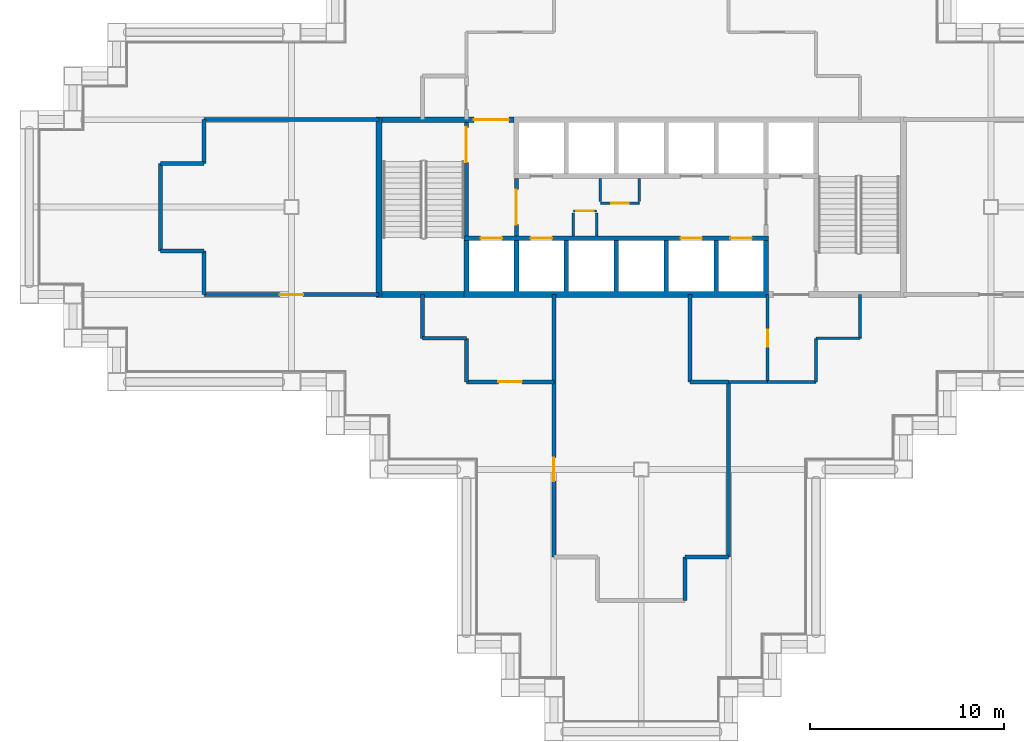
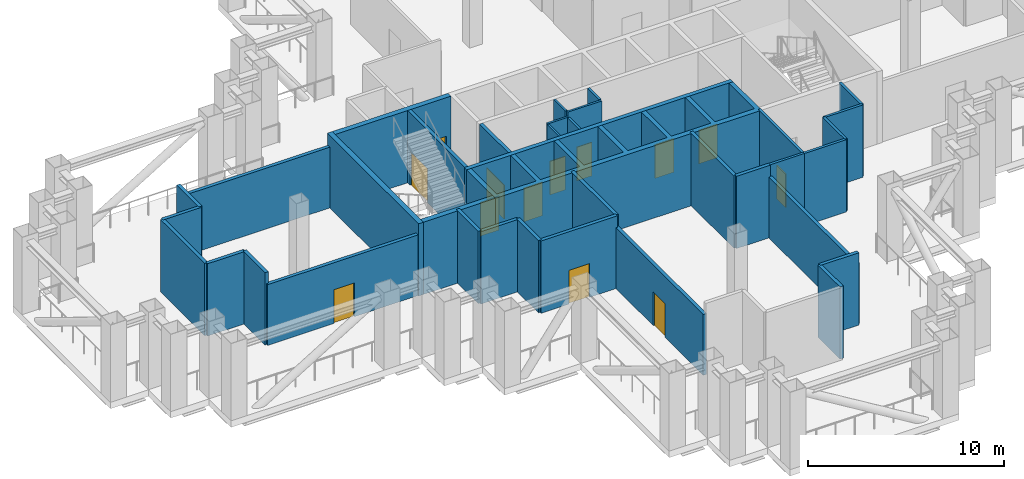
# One storey, part 3 of 10: 37 walls, 13 doors, 13 openings.
"""IFC4 building model written with IfcOpenShell, lengths in metres."""

import ifcopenshell
import ifcopenshell.guid

model = None  # the IFC model being written
_history = None  # IfcOwnerHistory: only IFC2X3 demands one
_inside = {}  # id of a spatial element -> (the spatial element, [elements in it])
_under = {}  # id of a project, library or spatial element -> (it, [spatial elements below it])
_declared = {}  # id of a project -> (the project, [libraries it declares])
_typed = {}  # id of a type object -> (the type object, [elements of that type])
_made_of = {}  # id of a material, layer set ... -> (it, [elements and type objects made of it])


def new_model(schema):
    """Start an empty IFC model of exactly this schema.

    Asked for "IFC4X3", IfcOpenShell would pick the latest addendum, in which some entities
    have other attributes; the version numbers below select the first issue.
    IFC2X3 requires an IfcOwnerHistory on every rooted entity: one is made here for all.
    """
    global model, _history
    if schema == "IFC4X3":
        model = ifcopenshell.file(schema_version=(4, 3, 0, 0))
    else:
        model = ifcopenshell.file(schema=schema)
    _inside.clear()
    _under.clear()
    _declared.clear()
    _typed.clear()
    _made_of.clear()
    _history = None
    if model.schema == "IFC2X3":
        org = make("IfcOrganization", Name="unknown")
        user = make(
            "IfcPersonAndOrganization",
            ThePerson=make("IfcPerson", FamilyName="unknown"),
            TheOrganization=org,
        )
        app = make(
            "IfcApplication",
            ApplicationDeveloper=org,
            Version="unknown",
            ApplicationFullName="unknown",
            ApplicationIdentifier="unknown",
        )
        _history = make(
            "IfcOwnerHistory",
            OwningUser=user,
            OwningApplication=app,
            ChangeAction="ADDED",
            CreationDate=0,
        )
    return model


def make(cls, **values):
    """One entity of the class cls with the attributes given. An attribute that is None is left unset."""
    return model.create_entity(
        cls, **{name: value for name, value in values.items() if value is not None}
    )


def rooted(cls, **values):
    """An entity with a GlobalId (a new one), such as an element, a storey or a relation."""
    return make(cls, GlobalId=ifcopenshell.guid.new(), OwnerHistory=_history, **values)


def si_unit(unit_type, name, prefix=None):
    """IfcSIUnit, for example si_unit("LENGTHUNIT", "METRE", prefix="MILLI")."""
    return make("IfcSIUnit", UnitType=unit_type, Prefix=prefix, Name=name)


def assignment(units):
    """IfcUnitAssignment: the units of a project."""
    return None if units is None else make("IfcUnitAssignment", Units=units)


def point(xyz):
    """IfcCartesianPoint."""
    return None if xyz is None else make("IfcCartesianPoint", Coordinates=xyz)


def direction(xyz):
    """IfcDirection."""
    return None if xyz is None else make("IfcDirection", DirectionRatios=xyz)


def frame(location, z_axis=None, x_axis=None):
    """IfcAxis2Placement3D, a coordinate frame: its origin and axes. An axis left out is left unset."""
    return make(
        "IfcAxis2Placement3D",
        Location=point(location),
        Axis=direction(z_axis),
        RefDirection=direction(x_axis),
    )


def frame_2d(location, x_axis=None):
    """IfcAxis2Placement2D, a coordinate frame in the plane: its origin and x axis."""
    return make(
        "IfcAxis2Placement2D", Location=point(location), RefDirection=direction(x_axis)
    )


def origin():
    """The frame at (0, 0, 0) with its axes left unset."""
    return frame((0.0, 0.0, 0.0))


def place(relative_to, where):
    """IfcLocalPlacement: puts the frame where relative to a parent placement (None: the world)."""
    return make(
        "IfcLocalPlacement", PlacementRelTo=relative_to, RelativePlacement=where
    )


def context(
    kind, dimensions, precision=None, world=None, true_north=None, identifier=None
):
    """IfcGeometricRepresentationContext, for example the 3D "Model" context."""
    return make(
        "IfcGeometricRepresentationContext",
        ContextIdentifier=identifier,
        ContextType=kind,
        CoordinateSpaceDimension=dimensions,
        Precision=precision,
        WorldCoordinateSystem=world,
        TrueNorth=true_north,
    )


def subcontext(parent, identifier, kind, view, scale=None):
    """IfcGeometricRepresentationSubContext, for example "Body" below "Model"."""
    return make(
        "IfcGeometricRepresentationSubContext",
        ContextIdentifier=identifier,
        ContextType=kind,
        ParentContext=parent,
        TargetScale=scale,
        TargetView=view,
    )


def project(units=None, contexts=None):
    """IfcProject with its units and contexts."""
    return rooted(
        "IfcProject",
        Name="project",
        RepresentationContexts=contexts,
        UnitsInContext=assignment(units),
    )


def spatial(cls, under=None, at=None, **own):
    """A site, building, storey or space (cls), placed at a placement, below another one or the project."""
    s = rooted(cls, ObjectPlacement=at, **own)
    if under is not None:
        _under.setdefault(under.id(), (under, []))[1].append(s)
    return s


def polyline(points):
    """IfcPolyline through the points."""
    return make("IfcPolyline", Points=[point(p) for p in points])


def profile(cls, at=None, kind="AREA", **sizes):
    """A parametric profile (cls). Its sizes go by their IFC names, for example OverallWidth=200.0."""
    return make(cls, ProfileType=kind, Position=at, **sizes)


def rectangle(**sizes):
    """IfcRectangleProfileDef."""
    return profile("IfcRectangleProfileDef", **sizes)


def outline(outer, holes=None, kind="AREA"):
    """IfcArbitraryClosedProfileDef: a profile drawn as a closed curve; with holes, ...WithVoids."""
    if holes is None:
        return make("IfcArbitraryClosedProfileDef", ProfileType=kind, OuterCurve=outer)
    return make(
        "IfcArbitraryProfileDefWithVoids",
        ProfileType=kind,
        OuterCurve=outer,
        InnerCurves=holes,
    )


def extrude(swept, where, along, depth):
    """IfcExtrudedAreaSolid: the profile swept, set in the frame where, extruded along a direction by depth."""
    return make(
        "IfcExtrudedAreaSolid",
        SweptArea=swept,
        Position=where,
        ExtrudedDirection=direction(along),
        Depth=depth,
    )


def shape(context_of_items, identifier, shape_type, items):
    """IfcShapeRepresentation: the items that make up one representation, for example the "Body"."""
    return make(
        "IfcShapeRepresentation",
        ContextOfItems=context_of_items,
        RepresentationIdentifier=identifier,
        RepresentationType=shape_type,
        Items=items,
    )


def material(Name=None, Category=None):
    """IfcMaterial."""
    return make("IfcMaterial", Name=Name, Category=Category)


def layer(
    of_material, thickness, ventilated=None, Name=None, Category=None, Priority=None
):
    """IfcMaterialLayer: one layer of a wall or slab, of a material (None: an air gap)."""
    return make(
        "IfcMaterialLayer",
        Material=of_material,
        LayerThickness=thickness,
        IsVentilated=ventilated,
        Name=Name,
        Category=Category,
        Priority=Priority,
    )


def layer_set(layers, Name=None):
    """IfcMaterialLayerSet."""
    return make("IfcMaterialLayerSet", MaterialLayers=layers, LayerSetName=Name)


def made_of(thing, what):
    """Note that an element or type object is made of a material, layer set ...; save() writes the relation."""
    if what is not None:
        _made_of.setdefault(what.id(), (what, []))[1].append(thing)
    return thing


def type_object(cls, material=None, **own):
    """A type object (cls), such as IfcWallType, which elements share."""
    return made_of(rooted(cls, **own), material)


def element(
    cls,
    number,
    at=None,
    inside=None,
    cuts=None,
    type_object=None,
    material=None,
    context=None,
    identifier="Body",
    shape_type=None,
    held_by="IfcProductDefinitionShape",
    body=None,
    shapes=None,
    **own,
):
    """One element of the class cls, such as IfcWall. Its Tag is "e" and its number.

    at: its placement. inside: the storey or other place that contains it. cuts: it is an
    opening in that element (IfcRelVoidsElement). A single representation is given by context,
    identifier, shape_type and body (its items); several are given by shapes. held_by: the class
    of the entity that holds the representations. save() writes the other relations.
    """
    e = rooted(cls, Tag="e%d" % number, ObjectPlacement=at, **own)
    if body is not None:
        shapes = [shape(context, identifier, shape_type, body)]
    if shapes is not None:
        e.Representation = make(held_by, Representations=shapes)
    if inside is not None:
        _inside.setdefault(inside.id(), (inside, []))[1].append(e)
    if cuts is not None:
        rooted(
            "IfcRelVoidsElement", RelatingBuildingElement=cuts, RelatedOpeningElement=e
        )
    if type_object is not None:
        _typed.setdefault(type_object.id(), (type_object, []))[1].append(e)
    return made_of(e, material)


def fill(opening, filler):
    """IfcRelFillsElement: the door or window that sits in an opening."""
    return rooted(
        "IfcRelFillsElement",
        RelatingOpeningElement=opening,
        RelatedBuildingElement=filler,
    )


def aggregate(whole, parts):
    """IfcRelAggregates: a whole, such as a stair, and the parts it consists of."""
    return rooted("IfcRelAggregates", RelatingObject=whole, RelatedObjects=parts)


def save(model, path):
    """Write the relations noted so far, then the file.

    IfcRelAggregates (storeys below a building ...), IfcRelContainedInSpatialStructure (elements
    in a storey), IfcRelDefinesByType, IfcRelAssociatesMaterial and IfcRelDeclares: one each for
    every whole, place, type object, material and project.
    """
    for whole, parts in _under.values():
        aggregate(whole, parts)
    for where, things in _inside.values():
        rooted(
            "IfcRelContainedInSpatialStructure",
            RelatedElements=things,
            RelatingStructure=where,
        )
    for kind, things in _typed.values():
        rooted("IfcRelDefinesByType", RelatedObjects=things, RelatingType=kind)
    for what, things in _made_of.values():
        rooted("IfcRelAssociatesMaterial", RelatedObjects=things, RelatingMaterial=what)
    for by, libraries in _declared.values():
        rooted("IfcRelDeclares", RelatingContext=by, RelatedDefinitions=libraries)
    model.write(path)


model = new_model("IFC4")

# Units and contexts
model_context = context("Model", 3, precision=1e-05, world=origin(), true_north=direction((0.0, 1.0)))
body_context = subcontext(model_context, "Body", "Model", "MODEL_VIEW")
ifc_project = project(units=[si_unit("LENGTHUNIT", "METRE"), si_unit("AREAUNIT", "SQUARE_METRE"), si_unit("VOLUMEUNIT", "CUBIC_METRE"), si_unit("PLANEANGLEUNIT", "RADIAN"), si_unit("MASSUNIT", "GRAM", prefix="KILO")], contexts=[model_context])

# Site, building, storey
site_placement = place(None, origin())
site = spatial("IfcSite", under=ifc_project, at=site_placement, CompositionType="ELEMENT")
building_placement = place(site_placement, origin())
building = spatial("IfcBuilding", under=site, at=building_placement, Name="Caravel Reach Hotel and Residences", CompositionType="ELEMENT")
storey_placement = place(building_placement, frame((0.0, 0.0, 96.0)))
storey = spatial("IfcBuildingStorey", under=building, at=storey_placement, Name="L23", CompositionType="ELEMENT", Elevation=96.0)

# Wall, opening, door
ifc_material_1 = material(Name="Autoclaved aerated block wall")
ifc_layer_1 = layer(ifc_material_1, 0.199951171875)
ifc_layer_set_1 = layer_set([ifc_layer_1], Name="Compartment wall 200 mm EI 120")
wall_type_1 = type_object("IfcWallType", Name="Compartment wall 200 mm EI 120", PredefinedType="PARTITIONING", material=ifc_layer_set_1)
wall_1_placement = place(storey_placement, frame((22.5, 18.0, 0.0), z_axis=(0.0, 0.0, 1.0), x_axis=(1.0, 0.0, 0.0)))
wall_1 = element("IfcWall", 1, at=wall_1_placement, inside=storey, type_object=wall_type_1, Name="L23 wall w020", PredefinedType="PARTITIONING", context=body_context, shape_type="SweptSolid", body=[
    extrude(rectangle(XDim=4.5, YDim=0.199951171875, at=frame_2d((2.25, 0.0))), origin(), (0.0, 0.0, 1.0), 4.5),
])
opening_1_placement = place(wall_1_placement, frame((1.64990234375, 0.0, 0.0)))
opening_1 = element("IfcOpeningElement", 2, at=opening_1_placement, cuts=wall_1, Name="Opening D23-016", PredefinedType="OPENING", context=body_context, shape_type="SweptSolid", body=[
    extrude(rectangle(XDim=1.199951171875, YDim=2.10009765625, at=frame_2d((0.60009765625, 1.050048828125))), frame((0.0, 0.10986328125, 0.0), z_axis=(0.0, -1.0, 0.0), x_axis=(1.0, 0.0, 0.0)), (0.0, 0.0, 1.0), 0.219970703125),
])
ifc_material_2 = material(Name="Steel fire door leaf", Category="steel")
door_type_1 = type_object("IfcDoorType", Name="Plant room door 1200 x 2100 EI 60", OperationType="SINGLE_SWING_LEFT", PredefinedType="DOOR", material=ifc_material_2)
door_1_placement = place(opening_1_placement, origin())
door_1 = element("IfcDoor", 3, at=door_1_placement, inside=storey, type_object=door_type_1, Name="door D23-016", OperationType="SINGLE_SWING_RIGHT", OverallHeight=2.10009765625, OverallWidth=1.199951171875, PredefinedType="DOOR", context=body_context, shape_type="SweptSolid", body=[
    extrude(rectangle(XDim=1.199951171875, YDim=2.10009765625, at=frame_2d((0.60009765625, 1.050048828125))), frame((0.0, 0.02490234375, 0.0), z_axis=(0.0, -1.0, 0.0), x_axis=(1.0, 0.0, 0.0)), (0.0, 0.0, 1.0), 0.050048828125),
])
fill(opening_1, door_1)

# Walls
wall_2_placement = place(storey_placement, frame((34.0, 18.0, 0.0), z_axis=(0.0, 0.0, 1.0), x_axis=(1.0, 0.0, 0.0)))
element("IfcWall", 4, at=wall_2_placement, inside=storey, type_object=wall_type_1, Name="L23 wall w021", PredefinedType="PARTITIONING", context=body_context, shape_type="SweptSolid", body=[
    extrude(rectangle(XDim=2.0, YDim=0.199951171875, at=frame_2d((1.0, 0.0))), origin(), (0.0, 0.0, 1.0), 4.5),
])
wall_3_placement = place(storey_placement, frame((20.25, 20.25, 0.0), z_axis=(0.0, 0.0, 1.0), x_axis=(1.0, 0.0, 0.0)))
element("IfcWall", 5, at=wall_3_placement, inside=storey, type_object=wall_type_1, Name="L23 wall w022", PredefinedType="PARTITIONING", context=body_context, shape_type="SweptSolid", body=[
    extrude(rectangle(XDim=2.25, YDim=0.199951171875, at=frame_2d((1.125, 0.0))), origin(), (0.0, 0.0, 1.0), 4.5),
])

# Wall, opening, door
wall_4_placement = place(storey_placement, frame((9.0, 22.5, 0.0), z_axis=(0.0, 0.0, 1.0), x_axis=(1.0, 0.0, 0.0)))
wall_4 = element("IfcWall", 6, at=wall_4_placement, inside=storey, type_object=wall_type_1, Name="L23 wall w023", PredefinedType="PARTITIONING", context=body_context, shape_type="SweptSolid", body=[
    extrude(rectangle(XDim=9.0, YDim=0.199951171875, at=frame_2d((4.5, 0.0))), origin(), (0.0, 0.0, 1.0), 3.780029296875),
])
opening_2_placement = place(wall_4_placement, frame((3.89990234375, 0.0, 0.0)))
opening_2 = element("IfcOpeningElement", 7, at=opening_2_placement, cuts=wall_4, Name="Opening D23-020", PredefinedType="OPENING", context=body_context, shape_type="SweptSolid", body=[
    extrude(rectangle(XDim=1.199951171875, YDim=2.10009765625, at=frame_2d((0.60009765625, 1.050048828125))), frame((0.0, 0.10986328125, 0.0), z_axis=(0.0, -1.0, 0.0), x_axis=(1.0, 0.0, 0.0)), (0.0, 0.0, 1.0), 0.219970703125),
])
door_2_placement = place(opening_2_placement, origin())
door_2 = element("IfcDoor", 8, at=door_2_placement, inside=storey, type_object=door_type_1, Name="door D23-020", OperationType="SINGLE_SWING_RIGHT", OverallHeight=2.10009765625, OverallWidth=1.199951171875, PredefinedType="DOOR", context=body_context, shape_type="SweptSolid", body=[
    extrude(rectangle(XDim=1.199951171875, YDim=2.10009765625, at=frame_2d((0.60009765625, 1.050048828125))), frame((0.0, 0.02490234375, 0.0), z_axis=(0.0, -1.0, 0.0), x_axis=(1.0, 0.0, 0.0)), (0.0, 0.0, 1.0), 0.050048828125),
])
fill(opening_2, door_2)

# Walls
for number, where, z_axis, x_axis, name in (
    (9, (6.75, 24.75, 0.0), (0.0, 0.0, 1.0), (1.0, 0.0, 0.0), "L23 wall w025"),
    (10, (6.75, 29.25, 0.0), (0.0, 0.0, 1.0), (1.0, 0.0, 0.0), "L23 wall w027"),
):
    element("IfcWall", number, at=place(storey_placement, frame(where, z_axis=z_axis, x_axis=x_axis)), inside=storey, type_object=wall_type_1, Name=name, PredefinedType="PARTITIONING", context=body_context, shape_type="SweptSolid", body=[
        extrude(rectangle(XDim=2.25, YDim=0.199951171875, at=frame_2d((1.125, 0.0))), origin(), (0.0, 0.0, 1.0), 4.5),
    ])
wall_5_placement = place(storey_placement, frame((9.0, 31.5, 0.0), z_axis=(0.0, 0.0, 1.0), x_axis=(1.0, 0.0, 0.0)))
element("IfcWall", 11, at=wall_5_placement, inside=storey, type_object=wall_type_1, Name="L23 wall w029", PredefinedType="PARTITIONING", context=body_context, shape_type="SweptSolid", body=[
    extrude(rectangle(XDim=9.0, YDim=0.199951171875, at=frame_2d((4.5, 0.0))), origin(), (0.0, 0.0, 1.0), 3.780029296875),
])
for number, where, z_axis, x_axis, name in (
    (12, (33.75, 9.0, 0.0), (0.0, 0.0, 1.0), (1.0, 0.0, 0.0), "L23 wall w034"),
    (13, (20.25, 20.25, 0.0), (0.0, 0.0, 1.0), (0.0, 1.0, 0.0), "L23 wall w035"),
    (14, (22.5, 18.0, 0.0), (0.0, 0.0, 1.0), (0.0, 1.0, 0.0), "L23 wall w037"),
):
    element("IfcWall", number, at=place(storey_placement, frame(where, z_axis=z_axis, x_axis=x_axis)), inside=storey, type_object=wall_type_1, Name=name, PredefinedType="PARTITIONING", context=body_context, shape_type="SweptSolid", body=[
        extrude(rectangle(XDim=2.25, YDim=0.199951171875, at=frame_2d((1.125, 0.0))), origin(), (0.0, 0.0, 1.0), 4.5),
    ])
wall_6_placement = place(storey_placement, frame((27.0, 18.0, 0.0), z_axis=(0.0, 0.0, 1.0), x_axis=(0.0, 1.0, 0.0)))
element("IfcWall", 15, at=wall_6_placement, inside=storey, type_object=wall_type_1, Name="L23 wall w039", PredefinedType="PARTITIONING", context=body_context, shape_type="SweptSolid", body=[
    extrude(rectangle(XDim=4.5, YDim=0.199951171875, at=frame_2d((2.25, 0.0))), origin(), (0.0, 0.0, 1.0), 4.5),
])

# Wall, opening, door
wall_7_placement = place(storey_placement, frame((27.0, 9.0, 0.0), z_axis=(0.0, 0.0, 1.0), x_axis=(0.0, 1.0, 0.0)))
wall_7 = element("IfcWall", 16, at=wall_7_placement, inside=storey, type_object=wall_type_1, Name="L23 wall w040", PredefinedType="PARTITIONING", context=body_context, shape_type="SweptSolid", body=[
    extrude(rectangle(XDim=9.0, YDim=0.199951171875, at=frame_2d((4.5, 0.0))), origin(), (0.0, 0.0, 1.0), 3.780029296875),
])
opening_3_placement = place(wall_7_placement, frame((3.89990234375, 0.0, 0.0)))
opening_3 = element("IfcOpeningElement", 17, at=opening_3_placement, cuts=wall_7, Name="Opening D23-017", PredefinedType="OPENING", context=body_context, shape_type="SweptSolid", body=[
    extrude(rectangle(XDim=1.199951171875, YDim=2.10009765625, at=frame_2d((0.60009765625, 1.050048828125))), frame((0.0, 0.10986328125, 0.0), z_axis=(0.0, -1.0, 0.0), x_axis=(1.0, 0.0, 0.0)), (0.0, 0.0, 1.0), 0.219970703125),
])
door_3_placement = place(opening_3_placement, origin())
door_3 = element("IfcDoor", 18, at=door_3_placement, inside=storey, type_object=door_type_1, Name="door D23-017", OperationType="SINGLE_SWING_LEFT", OverallHeight=2.10009765625, OverallWidth=1.199951171875, PredefinedType="DOOR", context=body_context, shape_type="SweptSolid", body=[
    extrude(rectangle(XDim=1.199951171875, YDim=2.10009765625, at=frame_2d((0.60009765625, 1.050048828125))), frame((0.0, 0.02490234375, 0.0), z_axis=(0.0, -1.0, 0.0), x_axis=(1.0, 0.0, 0.0)), (0.0, 0.0, 1.0), 0.050048828125),
])
fill(opening_3, door_3)

# Walls
wall_8_placement = place(storey_placement, frame((33.75, 6.75, 0.0), z_axis=(0.0, 0.0, 1.0), x_axis=(0.0, 1.0, 0.0)))
element("IfcWall", 19, at=wall_8_placement, inside=storey, type_object=wall_type_1, Name="L23 wall w042", PredefinedType="PARTITIONING", context=body_context, shape_type="SweptSolid", body=[
    extrude(rectangle(XDim=2.25, YDim=0.199951171875, at=frame_2d((1.125, 0.0))), origin(), (0.0, 0.0, 1.0), 4.5),
])
wall_9_placement = place(storey_placement, frame((34.0, 18.0, 0.0), z_axis=(0.0, 0.0, 1.0), x_axis=(0.0, 1.0, 0.0)))
element("IfcWall", 20, at=wall_9_placement, inside=storey, type_object=wall_type_1, Name="L23 wall w043", PredefinedType="PARTITIONING", context=body_context, shape_type="SweptSolid", body=[
    extrude(rectangle(XDim=4.5, YDim=0.199951171875, at=frame_2d((2.25, 0.0))), origin(), (0.0, 0.0, 1.0), 4.5),
])
wall_10_placement = place(storey_placement, frame((36.0, 9.0, 0.0), z_axis=(0.0, 0.0, 1.0), x_axis=(0.0, 1.0, 0.0)))
element("IfcWall", 21, at=wall_10_placement, inside=storey, type_object=wall_type_1, Name="L23 wall w044", PredefinedType="PARTITIONING", context=body_context, shape_type="SweptSolid", body=[
    extrude(rectangle(XDim=9.0, YDim=0.199951171875, at=frame_2d((4.5, 0.0))), origin(), (0.0, 0.0, 1.0), 3.780029296875),
])
wall_11_placement = place(storey_placement, frame((6.75, 24.75, 0.0), z_axis=(0.0, 0.0, 1.0), x_axis=(0.0, 1.0, 0.0)))
element("IfcWall", 22, at=wall_11_placement, inside=storey, type_object=wall_type_1, Name="L23 wall w048", PredefinedType="PARTITIONING", context=body_context, shape_type="SweptSolid", body=[
    extrude(rectangle(XDim=4.5, YDim=0.199951171875, at=frame_2d((2.25, 0.0))), origin(), (0.0, 0.0, 1.0), 4.5),
])
for number, where, z_axis, x_axis, name in (
    (23, (9.0, 22.5, 0.0), (0.0, 0.0, 1.0), (0.0, 1.0, 0.0), "L23 wall w049"),
    (24, (9.0, 29.25, 0.0), (0.0, 0.0, 1.0), (0.0, 1.0, 0.0), "L23 wall w050"),
):
    element("IfcWall", number, at=place(storey_placement, frame(where, z_axis=z_axis, x_axis=x_axis)), inside=storey, type_object=wall_type_1, Name=name, PredefinedType="PARTITIONING", context=body_context, shape_type="SweptSolid", body=[
        extrude(rectangle(XDim=2.25, YDim=0.199951171875, at=frame_2d((1.125, 0.0))), origin(), (0.0, 0.0, 1.0), 4.5),
    ])
ifc_material_3 = material(Name="Concrete C60", Category="concrete")
ifc_layer_2 = layer(ifc_material_3, 0.300048828125)
ifc_layer_set_2 = layer_set([ifc_layer_2], Name="Core wall 300 mm EI 120")
wall_type_2 = type_object("IfcWallType", Name="Core wall 300 mm EI 120", PredefinedType="SHEAR", material=ifc_layer_set_2)
wall_12_placement = place(storey_placement, frame((18.14990234375, 22.5, 0.0), z_axis=(0.0, 0.0, 1.0), x_axis=(1.0, 0.0, 0.0)))
element("IfcWall", 25, at=wall_12_placement, inside=storey, type_object=wall_type_2, Name="L23 core wall S1", PredefinedType="SHEAR", context=body_context, shape_type="SweptSolid", body=[
    extrude(rectangle(XDim=4.22509765625, YDim=0.300048828125, at=frame_2d((2.112548828125, 0.0))), origin(), (0.0, 0.0, 1.0), 4.5),
])

# Wall, opening, door
wall_13_placement = place(storey_placement, frame((18.14990234375, 31.5, 0.0), z_axis=(0.0, 0.0, 1.0), x_axis=(1.0, 0.0, 0.0)))
wall_13 = element("IfcWall", 26, at=wall_13_placement, inside=storey, type_object=wall_type_2, Name="L23 core wall N1", PredefinedType="SHEAR", context=body_context, shape_type="SweptSolid", body=[
    extrude(rectangle(XDim=6.796630859375, YDim=0.300048828125, at=frame_2d((3.3984375, 0.0))), origin(), (0.0, 0.0, 1.0), 4.5),
])
opening_4_placement = place(wall_13_placement, frame((4.735595703125, 0.0, 0.0)))
opening_4 = element("IfcOpeningElement", 27, at=opening_4_placement, cuts=wall_13, Name="Opening D23-014", PredefinedType="OPENING", context=body_context, shape_type="SweptSolid", body=[
    extrude(rectangle(XDim=1.800048828125, YDim=2.10009765625, at=frame_2d((0.89990234375, 1.050048828125))), frame((0.0, 0.159912109375, 0.0), z_axis=(0.0, -1.0, 0.0), x_axis=(1.0, 0.0, 0.0)), (0.0, 0.0, 1.0), 0.320068359375),
])
ifc_material_4 = material(Name="Steel fire door leaf", Category="steel")
door_type_2 = type_object("IfcDoorType", Name="Fire lobby door pair 1800 x 2100 EI 90", OperationType="DOUBLE_DOOR_SINGLE_SWING", PredefinedType="DOOR", material=ifc_material_4)
door_4_placement = place(opening_4_placement, origin())
door_4 = element("IfcDoor", 28, at=door_4_placement, inside=storey, type_object=door_type_2, Name="lobby N door pair to corridor", OperationType="DOUBLE_DOOR_SINGLE_SWING", OverallHeight=2.10009765625, OverallWidth=1.800048828125, PredefinedType="DOOR", context=body_context, shape_type="SweptSolid", body=[
    extrude(rectangle(XDim=1.800048828125, YDim=2.10009765625, at=frame_2d((0.89990234375, 1.050048828125))), frame((0.0, 0.02490234375, 0.0), z_axis=(0.0, -1.0, 0.0), x_axis=(1.0, 0.0, 0.0)), (0.0, 0.0, 1.0), 0.050048828125),
])
fill(opening_4, door_4)

# Walls
wall_14_placement = place(storey_placement, frame((18.0, 22.35009765625, 0.0), z_axis=(0.0, 0.0, 1.0), x_axis=(0.0, 1.0, 0.0)))
element("IfcWall", 29, at=wall_14_placement, inside=storey, type_object=wall_type_2, Name="L23 core wall W", PredefinedType="SHEAR", context=body_context, shape_type="SweptSolid", body=[
    extrude(rectangle(XDim=9.2998046875, YDim=0.300048828125, at=frame_2d((4.64990234375, 0.0))), origin(), (0.0, 0.0, 1.0), 4.5),
])
ifc_material_5 = material(Name="Gypsum board on steel stud, fire-rated", Category="steel")
ifc_layer_3 = layer(ifc_material_5, 0.14990234375)
ifc_layer_set_3 = layer_set([ifc_layer_3], Name="Corridor wall 150 mm EI 60")
wall_type_3 = type_object("IfcWallType", Name="Corridor wall 150 mm EI 60", PredefinedType="PARTITIONING", material=ifc_layer_set_3)
wall_15_placement = place(storey_placement, frame((38.0, 18.0, 0.0), z_axis=(0.0, 0.0, 1.0), x_axis=(1.0, 0.0, 0.0)))
element("IfcWall", 30, at=wall_15_placement, inside=storey, type_object=wall_type_3, Name="L23 wall w001", PredefinedType="PARTITIONING", context=body_context, shape_type="SweptSolid", body=[
    extrude(rectangle(XDim=2.5, YDim=0.14990234375, at=frame_2d((1.25, 0.0))), origin(), (0.0, 0.0, 1.0), 4.5),
])
wall_16_placement = place(storey_placement, frame((36.0, 18.0, 0.0), z_axis=(0.0, 0.0, 1.0), x_axis=(1.0, 0.0, 0.0)))
element("IfcWall", 31, at=wall_16_placement, inside=storey, type_object=wall_type_3, Name="L23 wall w002", PredefinedType="PARTITIONING", context=body_context, shape_type="SweptSolid", body=[
    extrude(rectangle(XDim=2.0, YDim=0.14990234375, at=frame_2d((1.0, 0.0))), origin(), (0.0, 0.0, 1.0), 4.5),
])
wall_17_placement = place(storey_placement, frame((40.5, 20.25, 0.0), z_axis=(0.0, 0.0, 1.0), x_axis=(1.0, 0.0, 0.0)))
element("IfcWall", 32, at=wall_17_placement, inside=storey, type_object=wall_type_3, Name="L23 wall w003", PredefinedType="PARTITIONING", context=body_context, shape_type="SweptSolid", body=[
    extrude(rectangle(XDim=2.25, YDim=0.14990234375, at=frame_2d((1.125, 0.0))), origin(), (0.0, 0.0, 1.0), 4.5),
])

# Wall, opening, door
wall_18_placement = place(storey_placement, frame((38.0, 18.0, 0.0), z_axis=(0.0, 0.0, 1.0), x_axis=(0.0, 1.0, 0.0)))
wall_18 = element("IfcWall", 33, at=wall_18_placement, inside=storey, type_object=wall_type_3, Name="L23 wall w015", PredefinedType="PARTITIONING", context=body_context, shape_type="SweptSolid", body=[
    extrude(rectangle(XDim=4.5, YDim=0.14990234375, at=frame_2d((2.25, 0.0))), origin(), (0.0, 0.0, 1.0), 4.5),
])
opening_5_placement = place(wall_18_placement, frame((1.800048828125, 0.0, 0.0)))
opening_5 = element("IfcOpeningElement", 34, at=opening_5_placement, cuts=wall_18, Name="Opening D23-019", PredefinedType="OPENING", context=body_context, shape_type="SweptSolid", body=[
    extrude(rectangle(XDim=0.89990234375, YDim=2.10009765625, at=frame_2d((0.449951171875, 1.050048828125))), frame((0.0, 0.0849609375, 0.0), z_axis=(0.0, -1.0, 0.0), x_axis=(1.0, 0.0, 0.0)), (0.0, 0.0, 1.0), 0.169921875),
])
ifc_material_6 = material(Name="Timber and steel door leaf", Category="steel")
door_type_3 = type_object("IfcDoorType", Name="Door 900 x 2100 timber", OperationType="SINGLE_SWING_LEFT", PredefinedType="DOOR", material=ifc_material_6)
door_5_placement = place(opening_5_placement, origin())
door_5 = element("IfcDoor", 35, at=door_5_placement, inside=storey, type_object=door_type_3, Name="door D23-019", OperationType="SINGLE_SWING_RIGHT", OverallHeight=2.10009765625, OverallWidth=0.89990234375, PredefinedType="DOOR", context=body_context, shape_type="SweptSolid", body=[
    extrude(rectangle(XDim=0.89990234375, YDim=2.10009765625, at=frame_2d((0.449951171875, 1.050048828125))), frame((0.0, 0.02490234375, 0.0), z_axis=(0.0, -1.0, 0.0), x_axis=(1.0, 0.0, 0.0)), (0.0, 0.0, 1.0), 0.050048828125),
])
fill(opening_5, door_5)

# Walls
for number, where, z_axis, x_axis, name in (
    (36, (40.5, 18.0, 0.0), (0.0, 0.0, 1.0), (0.0, 1.0, 0.0), "L23 wall w017"),
    (37, (42.75, 20.25, 0.0), (0.0, 0.0, 1.0), (0.0, 1.0, 0.0), "L23 wall w019"),
):
    element("IfcWall", number, at=place(storey_placement, frame(where, z_axis=z_axis, x_axis=x_axis)), inside=storey, type_object=wall_type_3, Name=name, PredefinedType="PARTITIONING", context=body_context, shape_type="SweptSolid", body=[
        extrude(rectangle(XDim=2.25, YDim=0.14990234375, at=frame_2d((1.125, 0.0))), origin(), (0.0, 0.0, 1.0), 4.5),
    ])

# Wall, opening, door
ifc_material_7 = material(Name="Autoclaved aerated block wall")
ifc_layer_4 = layer(ifc_material_7, 0.199951171875)
ifc_layer_set_4 = layer_set([ifc_layer_4], Name="Fire lobby wall 200 mm EI 120")
wall_type_4 = type_object("IfcWallType", Name="Fire lobby wall 200 mm EI 120", PredefinedType="PARTITIONING", material=ifc_layer_set_4)
wall_19_placement = place(storey_placement, frame((25.071533203125, 25.52490234375, 0.0), z_axis=(0.0, 0.0, 1.0), x_axis=(0.0, 1.0, 0.0)))
wall_19 = element("IfcWall", 38, at=wall_19_placement, inside=storey, type_object=wall_type_4, Name="L23 lobby W wall", PredefinedType="PARTITIONING", context=body_context, shape_type="SweptSolid", body=[
    extrude(rectangle(XDim=2.9501953125, YDim=0.199951171875, at=frame_2d((1.47509765625, 0.0))), origin(), (0.0, 0.0, 1.0), 4.5),
])
opening_6_placement = place(wall_19_placement, frame((0.574951171875, 0.0, 0.0)))
opening_6 = element("IfcOpeningElement", 39, at=opening_6_placement, cuts=wall_19, Name="Opening D23-012", PredefinedType="OPENING", context=body_context, shape_type="SweptSolid", body=[
    extrude(rectangle(XDim=1.800048828125, YDim=2.10009765625, at=frame_2d((0.89990234375, 1.050048828125))), frame((0.0, 0.10986328125, 0.0), z_axis=(0.0, -1.0, 0.0), x_axis=(1.0, 0.0, 0.0)), (0.0, 0.0, 1.0), 0.219970703125),
])
door_6_placement = place(opening_6_placement, origin())
door_6 = element("IfcDoor", 40, at=door_6_placement, inside=storey, type_object=door_type_2, Name="lobby W door pair", OperationType="DOUBLE_DOOR_SINGLE_SWING", OverallHeight=2.10009765625, OverallWidth=1.800048828125, PredefinedType="DOOR", context=body_context, shape_type="SweptSolid", body=[
    extrude(rectangle(XDim=1.800048828125, YDim=2.10009765625, at=frame_2d((0.89990234375, 1.050048828125))), frame((0.0, 0.02490234375, 0.0), z_axis=(0.0, -1.0, 0.0), x_axis=(1.0, 0.0, 0.0)), (0.0, 0.0, 1.0), 0.050048828125),
])
fill(opening_6, door_6)

ifc_material_8 = material(Name="Autoclaved aerated block wall")
ifc_layer_5 = layer(ifc_material_8, 0.125)
ifc_layer_set_5 = layer_set([ifc_layer_5], Name="Riser wall 125 mm EI 60")
wall_type_5 = type_object("IfcWallType", Name="Riser wall 125 mm EI 60", PredefinedType="PARTITIONING", material=ifc_layer_set_5)
wall_20_placement = place(storey_placement, frame((28.0, 26.800048828125, 0.0), z_axis=(0.0, 0.0, 1.0), x_axis=(1.0, 0.0, 0.0)))
wall_20 = element("IfcWall", 41, at=wall_20_placement, inside=storey, type_object=wall_type_5, Name="L23 service room wall S1", PredefinedType="PARTITIONING", context=body_context, shape_type="SweptSolid", body=[
    extrude(rectangle(XDim=1.199951171875, YDim=0.125, at=frame_2d((0.60009765625, 0.0))), origin(), (0.0, 0.0, 1.0), 4.5),
])
opening_7_placement = place(wall_20_placement, frame((0.14990234375, 0.0, 0.0)))
opening_7 = element("IfcOpeningElement", 42, at=opening_7_placement, cuts=wall_20, Name="Opening D23-008", PredefinedType="OPENING", context=body_context, shape_type="SweptSolid", body=[
    extrude(rectangle(XDim=0.89990234375, YDim=2.10009765625, at=frame_2d((0.449951171875, 1.050048828125))), frame((0.0, 0.072509765625, 0.0), z_axis=(0.0, -1.0, 0.0), x_axis=(1.0, 0.0, 0.0)), (0.0, 0.0, 1.0), 0.14501953125),
])
ifc_material_9 = material(Name="Steel fire door leaf", Category="steel")
door_type_4 = type_object("IfcDoorType", Name="Riser door 900 x 2100 EI 60", OperationType="SINGLE_SWING_LEFT", PredefinedType="DOOR", material=ifc_material_9)
door_7_placement = place(opening_7_placement, origin())
door_7 = element("IfcDoor", 43, at=door_7_placement, inside=storey, type_object=door_type_4, Name="Telecom room door", OperationType="SINGLE_SWING_LEFT", OverallHeight=2.10009765625, OverallWidth=0.89990234375, PredefinedType="DOOR", context=body_context, shape_type="SweptSolid", body=[
    extrude(rectangle(XDim=0.89990234375, YDim=2.10009765625, at=frame_2d((0.449951171875, 1.050048828125))), frame((0.0, 0.02490234375, 0.0), z_axis=(0.0, -1.0, 0.0), x_axis=(1.0, 0.0, 0.0)), (0.0, 0.0, 1.0), 0.050048828125),
])
fill(opening_7, door_7)

# Walls
for number, where, z_axis, x_axis, name in (
    (44, (28.0, 25.52490234375, 0.0), (0.0, 0.0, 1.0), (0.0, 1.0, 0.0), "L23 service room partition S1"),
    (45, (29.199951171875, 25.52490234375, 0.0), (0.0, 0.0, 1.0), (0.0, 1.0, 0.0), "L23 service room partition S1"),
):
    element("IfcWall", number, at=place(storey_placement, frame(where, z_axis=z_axis, x_axis=x_axis)), inside=storey, type_object=wall_type_5, Name=name, PredefinedType="PARTITIONING", context=body_context, shape_type="SweptSolid", body=[
        extrude(rectangle(XDim=1.175048828125, YDim=0.125, at=frame_2d((0.58740234375, 0.0))), origin(), (0.0, 0.0, 1.0), 4.5),
    ])

# Wall, opening, door
wall_21_placement = place(storey_placement, frame((29.39990234375, 27.199951171875, 0.0), z_axis=(0.0, 0.0, 1.0), x_axis=(1.0, 0.0, 0.0)))
wall_21 = element("IfcWall", 46, at=wall_21_placement, inside=storey, type_object=wall_type_5, Name="L23 service room wall N1", PredefinedType="PARTITIONING", context=body_context, shape_type="SweptSolid", body=[
    extrude(rectangle(XDim=2.0, YDim=0.125, at=frame_2d((1.0, 0.0))), origin(), (0.0, 0.0, 1.0), 4.5),
])
opening_8_placement = place(wall_21_placement, frame((0.550048828125, 0.0, 0.0)))
opening_8 = element("IfcOpeningElement", 47, at=opening_8_placement, cuts=wall_21, Name="Opening D23-009", PredefinedType="OPENING", context=body_context, shape_type="SweptSolid", body=[
    extrude(rectangle(XDim=0.89990234375, YDim=2.10009765625, at=frame_2d((0.449951171875, 1.050048828125))), frame((0.0, 0.072509765625, 0.0), z_axis=(0.0, -1.0, 0.0), x_axis=(1.0, 0.0, 0.0)), (0.0, 0.0, 1.0), 0.14501953125),
])
door_8_placement = place(opening_8_placement, origin())
door_8 = element("IfcDoor", 48, at=door_8_placement, inside=storey, type_object=door_type_4, Name="Luggage store door", OperationType="SINGLE_SWING_LEFT", OverallHeight=2.10009765625, OverallWidth=0.89990234375, PredefinedType="DOOR", context=body_context, shape_type="SweptSolid", body=[
    extrude(rectangle(XDim=0.89990234375, YDim=2.10009765625, at=frame_2d((0.449951171875, 1.050048828125))), frame((0.0, 0.02490234375, 0.0), z_axis=(0.0, -1.0, 0.0), x_axis=(1.0, 0.0, 0.0)), (0.0, 0.0, 1.0), 0.050048828125),
])
fill(opening_8, door_8)

# Walls
for number, where, z_axis, x_axis, name in (
    (49, (29.39990234375, 28.47509765625, 0.0), (0.0, 0.0, 1.0), (0.0, -1.0, 0.0), "L23 service room partition N1"),
    (50, (31.39990234375, 28.47509765625, 0.0), (0.0, 0.0, 1.0), (0.0, -1.0, 0.0), "L23 service room partition N1"),
):
    element("IfcWall", number, at=place(storey_placement, frame(where, z_axis=z_axis, x_axis=x_axis)), inside=storey, type_object=wall_type_5, Name=name, PredefinedType="PARTITIONING", context=body_context, shape_type="SweptSolid", body=[
        extrude(rectangle(XDim=1.175048828125, YDim=0.125, at=frame_2d((0.58740234375, 0.0))), origin(), (0.0, 0.0, 1.0), 4.5),
    ])
ifc_material_10 = material(Name="Concrete C60", Category="concrete")
ifc_layer_6 = layer(ifc_material_10, 0.25)
ifc_layer_set_6 = layer_set([ifc_layer_6], Name="Shaft wall 250 mm EI 120")
wall_type_6 = type_object("IfcWallType", Name="Shaft wall 250 mm EI 120", PredefinedType="SHEAR", material=ifc_layer_set_6)
wall_22_placement = place(storey_placement, origin())
element("IfcWall", 51, at=wall_22_placement, inside=storey, type_object=wall_type_6, Name="L23 lift shaft wall S1", PredefinedType="SHEAR", context=body_context, shape_type="SweptSolid", body=[
    extrude(outline(polyline([(22.375, 22.35009765625), (38.053466796875, 22.35009765625), (38.053466796875, 25.27490234375), (37.803466796875, 25.27490234375), (37.803466796875, 22.64990234375), (35.482177734375, 22.64990234375), (35.482177734375, 25.27490234375), (35.232177734375, 25.27490234375), (35.232177734375, 22.64990234375), (32.91064453125, 22.64990234375), (32.91064453125, 25.27490234375), (32.66064453125, 25.27490234375), (32.66064453125, 22.64990234375), (30.33935546875, 22.64990234375), (30.33935546875, 25.27490234375), (30.08935546875, 25.27490234375), (30.08935546875, 22.64990234375), (27.767822265625, 22.64990234375), (27.767822265625, 25.27490234375), (27.517822265625, 25.27490234375), (27.517822265625, 22.64990234375), (25.196533203125, 22.64990234375), (25.196533203125, 25.27490234375), (24.946533203125, 25.27490234375), (24.946533203125, 22.64990234375), (22.625, 22.64990234375), (22.625, 25.27490234375), (22.375, 25.27490234375), (22.375, 22.35009765625)])), origin(), (0.0, 0.0, 1.0), 4.5),
])

# Wall, openings, doors
wall_23_placement = place(storey_placement, frame((22.375, 25.39990234375, 0.0), z_axis=(0.0, 0.0, 1.0), x_axis=(1.0, 0.0, 0.0)))
wall_23 = element("IfcWall", 52, at=wall_23_placement, inside=storey, type_object=wall_type_6, Name="L23 lobby wall S1", PredefinedType="SHEAR", context=body_context, shape_type="SweptSolid", body=[
    extrude(rectangle(XDim=15.678466796875, YDim=0.25, at=frame_2d((7.83935546875, 0.0))), origin(), (0.0, 0.0, 1.0), 4.5),
])
opening_9_placement = place(wall_23_placement, frame((3.43212890625, 0.0, 0.0)))
opening_9 = element("IfcOpeningElement", 53, at=opening_9_placement, cuts=wall_23, Name="Opening D23-001", PredefinedType="OPENING", context=body_context, shape_type="SweptSolid", body=[
    extrude(rectangle(XDim=1.10009765625, YDim=2.10009765625, at=frame_2d((0.550048828125, 1.050048828125))), frame((0.0, 0.135009765625, 0.0), z_axis=(0.0, -1.0, 0.0), x_axis=(1.0, 0.0, 0.0)), (0.0, 0.0, 1.0), 0.27001953125),
])
opening_10_placement = place(wall_23_placement, frame((11.146484375, 0.0, 0.0)))
opening_10 = element("IfcOpeningElement", 54, at=opening_10_placement, cuts=wall_23, Name="Opening D23-002", PredefinedType="OPENING", context=body_context, shape_type="SweptSolid", body=[
    extrude(rectangle(XDim=1.10009765625, YDim=2.10009765625, at=frame_2d((0.550048828125, 1.050048828125))), frame((0.0, 0.135009765625, 0.0), z_axis=(0.0, -1.0, 0.0), x_axis=(1.0, 0.0, 0.0)), (0.0, 0.0, 1.0), 0.27001953125),
])
opening_11_placement = place(wall_23_placement, frame((13.718017578125, 0.0, 0.0)))
opening_11 = element("IfcOpeningElement", 55, at=opening_11_placement, cuts=wall_23, Name="Opening D23-003", PredefinedType="OPENING", context=body_context, shape_type="SweptSolid", body=[
    extrude(rectangle(XDim=1.10009765625, YDim=2.10009765625, at=frame_2d((0.550048828125, 1.050048828125))), frame((0.0, 0.135009765625, 0.0), z_axis=(0.0, -1.0, 0.0), x_axis=(1.0, 0.0, 0.0)), (0.0, 0.0, 1.0), 0.27001953125),
])
opening_12_placement = place(wall_23_placement, frame((0.860595703125, 0.0, 0.0)))
opening_12 = element("IfcOpeningElement", 56, at=opening_12_placement, cuts=wall_23, Name="Opening D23-006", PredefinedType="OPENING", context=body_context, shape_type="SweptSolid", body=[
    extrude(rectangle(XDim=1.10009765625, YDim=2.10009765625, at=frame_2d((0.550048828125, 1.050048828125))), frame((0.0, 0.135009765625, 0.0), z_axis=(0.0, -1.0, 0.0), x_axis=(1.0, 0.0, 0.0)), (0.0, 0.0, 1.0), 0.27001953125),
])
ifc_material_11 = material(Name="Stainless steel landing door", Category="steel")
door_type_5 = type_object("IfcDoorType", Name="Landing door LD 1100 x 2100 sliding", OperationType="DOUBLE_DOOR_SLIDING", PredefinedType="DOOR", material=ifc_material_11)
door_9_placement = place(opening_9_placement, origin())
door_9 = element("IfcDoor", 57, at=door_9_placement, inside=storey, type_object=door_type_5, Name="LP1 landing door", OperationType="DOUBLE_DOOR_SLIDING", OverallHeight=2.10009765625, OverallWidth=1.10009765625, PredefinedType="DOOR", context=body_context, shape_type="SweptSolid", body=[
    extrude(rectangle(XDim=1.10009765625, YDim=2.10009765625, at=frame_2d((0.550048828125, 1.050048828125))), frame((0.0, 0.02490234375, 0.0), z_axis=(0.0, -1.0, 0.0), x_axis=(1.0, 0.0, 0.0)), (0.0, 0.0, 1.0), 0.050048828125),
])
fill(opening_9, door_9)
door_10_placement = place(opening_10_placement, origin())
door_10 = element("IfcDoor", 58, at=door_10_placement, inside=storey, type_object=door_type_5, Name="LP2 landing door", OperationType="DOUBLE_DOOR_SLIDING", OverallHeight=2.10009765625, OverallWidth=1.10009765625, PredefinedType="DOOR", context=body_context, shape_type="SweptSolid", body=[
    extrude(rectangle(XDim=1.10009765625, YDim=2.10009765625, at=frame_2d((0.550048828125, 1.050048828125))), frame((0.0, 0.02490234375, 0.0), z_axis=(0.0, -1.0, 0.0), x_axis=(1.0, 0.0, 0.0)), (0.0, 0.0, 1.0), 0.050048828125),
])
fill(opening_10, door_10)
door_11_placement = place(opening_11_placement, origin())
door_11 = element("IfcDoor", 59, at=door_11_placement, inside=storey, type_object=door_type_5, Name="LP3 landing door", OperationType="DOUBLE_DOOR_SLIDING", OverallHeight=2.10009765625, OverallWidth=1.10009765625, PredefinedType="DOOR", context=body_context, shape_type="SweptSolid", body=[
    extrude(rectangle(XDim=1.10009765625, YDim=2.10009765625, at=frame_2d((0.550048828125, 1.050048828125))), frame((0.0, 0.02490234375, 0.0), z_axis=(0.0, -1.0, 0.0), x_axis=(1.0, 0.0, 0.0)), (0.0, 0.0, 1.0), 0.050048828125),
])
fill(opening_11, door_11)
door_12_placement = place(opening_12_placement, origin())
door_12 = element("IfcDoor", 60, at=door_12_placement, inside=storey, type_object=door_type_5, Name="FL1 landing door", OperationType="DOUBLE_DOOR_SLIDING", OverallHeight=2.10009765625, OverallWidth=1.10009765625, PredefinedType="DOOR", context=body_context, shape_type="SweptSolid", body=[
    extrude(rectangle(XDim=1.10009765625, YDim=2.10009765625, at=frame_2d((0.550048828125, 1.050048828125))), frame((0.0, 0.02490234375, 0.0), z_axis=(0.0, -1.0, 0.0), x_axis=(1.0, 0.0, 0.0)), (0.0, 0.0, 1.0), 0.050048828125),
])
fill(opening_12, door_12)

# Wall, opening, door
ifc_material_12 = material(Name="Concrete C60", Category="concrete")
ifc_layer_7 = layer(ifc_material_12, 0.199951171875)
ifc_layer_set_7 = layer_set([ifc_layer_7], Name="Stair enclosure wall 200 mm EI 120")
wall_type_7 = type_object("IfcWallType", Name="Stair enclosure wall 200 mm EI 120", PredefinedType="SHEAR", material=ifc_layer_set_7)
wall_24_placement = place(storey_placement, frame((22.5, 31.35009765625, 0.0), z_axis=(0.0, 0.0, 1.0), x_axis=(0.0, -1.0, 0.0)))
wall_24 = element("IfcWall", 61, at=wall_24_placement, inside=storey, type_object=wall_type_7, Name="L23 stair A wall", PredefinedType="SHEAR", context=body_context, shape_type="SweptSolid", body=[
    extrude(rectangle(XDim=5.8251953125, YDim=0.199951171875, at=frame_2d((2.91259765625, 0.0))), origin(), (0.0, 0.0, 1.0), 4.5),
])
opening_13_placement = place(wall_24_placement, frame((0.25, 0.0, 0.0)))
opening_13 = element("IfcOpeningElement", 62, at=opening_13_placement, cuts=wall_24, Name="Opening D23-010", PredefinedType="OPENING", context=body_context, shape_type="SweptSolid", body=[
    extrude(rectangle(XDim=1.800048828125, YDim=2.10009765625, at=frame_2d((0.89990234375, 1.050048828125))), frame((0.0, 0.10986328125, 0.0), z_axis=(0.0, -1.0, 0.0), x_axis=(1.0, 0.0, 0.0)), (0.0, 0.0, 1.0), 0.219970703125),
])
ifc_material_13 = material(Name="Steel fire door leaf", Category="steel")
door_type_6 = type_object("IfcDoorType", Name="Stair door pair 1800 x 2100 EI 90", OperationType="DOUBLE_DOOR_SINGLE_SWING", PredefinedType="DOOR", material=ifc_material_13)
door_13_placement = place(opening_13_placement, origin())
door_13 = element("IfcDoor", 63, at=door_13_placement, inside=storey, type_object=door_type_6, Name="stair A door pair", OperationType="DOUBLE_DOOR_SINGLE_SWING", OverallHeight=2.10009765625, OverallWidth=1.800048828125, PredefinedType="DOOR", context=body_context, shape_type="SweptSolid", body=[
    extrude(rectangle(XDim=1.800048828125, YDim=2.10009765625, at=frame_2d((0.89990234375, 1.050048828125))), frame((0.0, 0.02490234375, 0.0), z_axis=(0.0, -1.0, 0.0), x_axis=(1.0, 0.0, 0.0)), (0.0, 0.0, 1.0), 0.050048828125),
])
fill(opening_13, door_13)

save(model, "model.ifc")
